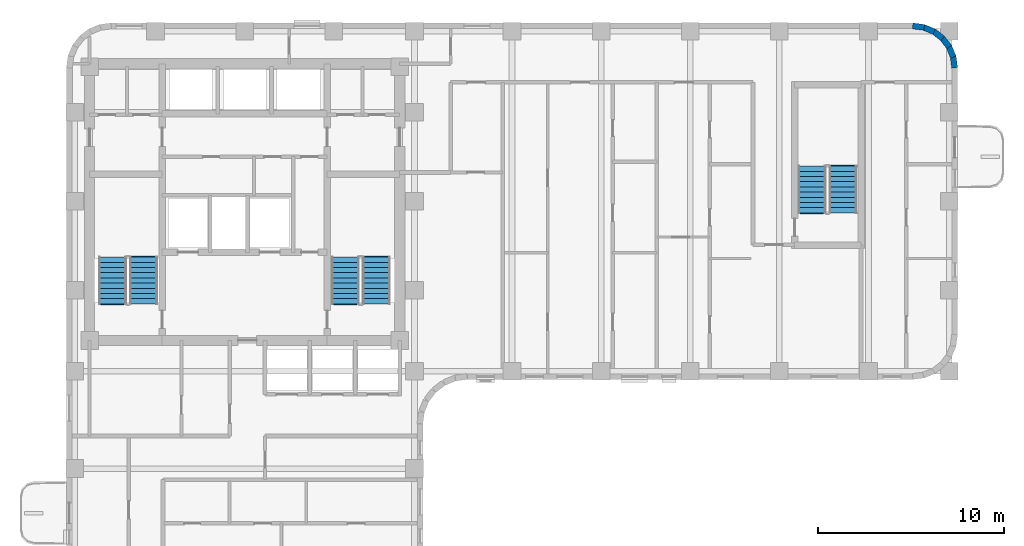
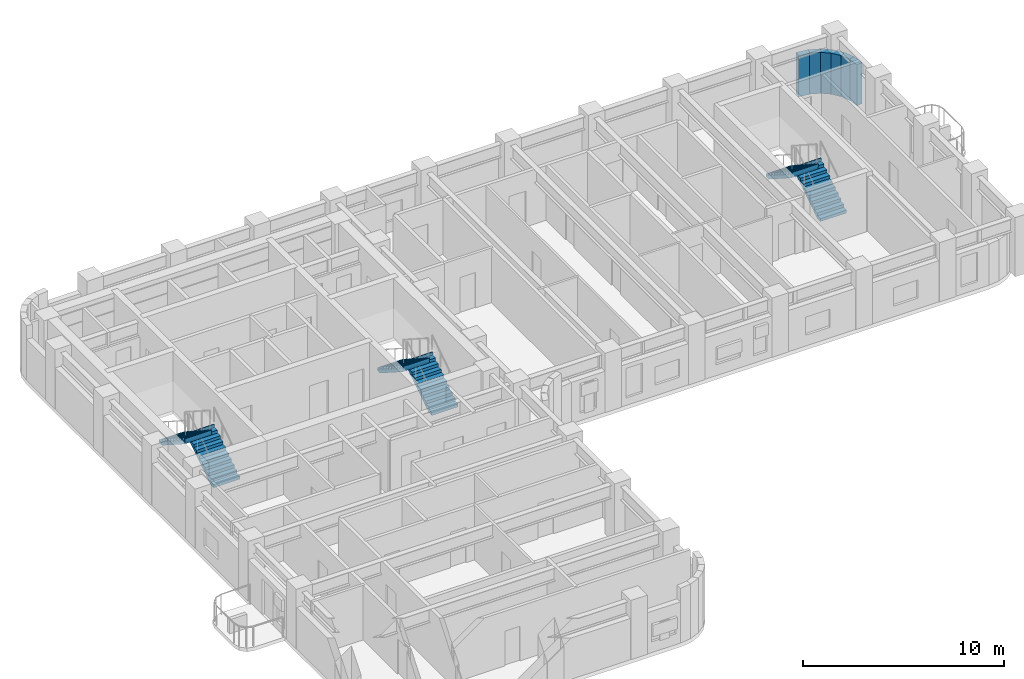
# One storey, part 7 of 10: 6 stair flights, 6 walls, 3 elements without a shape of their own.
"""IFC4 building model written with IfcOpenShell, lengths in metres."""

from ifc_helpers import new_model, si_unit, direction, frame, frame_2d, origin, place, context, subcontext, project, spatial, polyline, rectangle, outline, extrude, material, layer, layer_set, type_object, element, aggregate, save


model = new_model("IFC4")

# Units and contexts
model_context = context("Model", 3, precision=1e-05, world=origin(), true_north=direction((0.0, 1.0)))
body_context = subcontext(model_context, "Body", "Model", "MODEL_VIEW")
ifc_project = project(units=[si_unit("LENGTHUNIT", "METRE"), si_unit("AREAUNIT", "SQUARE_METRE"), si_unit("VOLUMEUNIT", "CUBIC_METRE"), si_unit("PLANEANGLEUNIT", "RADIAN"), si_unit("MASSUNIT", "GRAM", prefix="KILO")], contexts=[model_context])

# Site, building, storey
site_placement = place(None, origin())
site = spatial("IfcSite", under=ifc_project, at=site_placement, CompositionType="ELEMENT")
building_placement = place(site_placement, origin())
building = spatial("IfcBuilding", under=site, at=building_placement, Name="Orvandelia Arch Residences", CompositionType="ELEMENT")
storey_placement = place(building_placement, frame((0.0, 0.0, 150.39990234375)))
storey = spatial("IfcBuildingStorey", under=building, at=storey_placement, Name="L39", CompositionType="ELEMENT", Elevation=150.39990234375)

# Walls
ifc_material_1 = material(Name="Precast concrete C40/50", Category="concrete")
ifc_layer = layer(ifc_material_1, 0.320068359375, Name="Precast concrete C40/50", Category="concrete")
ifc_layer_set = layer_set([ifc_layer], Name="Precast concrete C40/50")
wall_type = type_object("IfcWallType", Name="WL-EXT-STONE-320", PredefinedType="STANDARD", material=ifc_layer_set)
for number, where, z_axis, x_axis, name in (
    (1, (50.379150390625, 47.84130859375, 0.0), (0.0, 0.0, 1.0), (0.9914410257, -0.130555323746, 0.0), "Coral-Limestone Precast Facade Wall L39-008"),
    (2, (50.9599609375, 47.7705078125, 0.0), (0.0, 0.0, 1.0), (0.92389335771, -0.382650053678, 0.0), "Coral-Limestone Precast Facade Wall L39-009"),
    (3, (51.502685546875, 47.551513671875, 0.0), (0.0, 0.0, 1.0), (0.793405610854, -0.608693302629, 0.0), "Coral-Limestone Precast Facade Wall L39-010"),
    (4, (51.97021484375, 47.19970703125, 0.0), (0.0, 0.0, 1.0), (0.608693302629, -0.793405610854, 0.0), "Coral-Limestone Precast Facade Wall L39-011"),
    (5, (52.330810546875, 46.73876953125, 0.0), (0.0, 0.0, 1.0), (0.382317370307, -0.924031075431, 0.0), "Coral-Limestone Precast Facade Wall L39-012"),
    (6, (52.5595703125, 46.2001953125, 0.0), (0.0, 0.0, 1.0), (0.130555323746, -0.9914410257, 0.0), "Coral-Limestone Precast Facade Wall L39-013"),
):
    element("IfcWall", number, at=place(storey_placement, frame(where, z_axis=z_axis, x_axis=x_axis)), inside=storey, type_object=wall_type, Name=name, PredefinedType="STANDARD", context=body_context, shape_type="SweptSolid", body=[
        extrude(rectangle(XDim=0.62646484375, YDim=0.320068359375, at=frame_2d((0.313232421875, 0.0))), origin(), (0.0, 0.0, 1.0), 2.5),
    ])

# Stair, stair flights
ifc_material_2 = material(Name="Concrete C40/50", Category="concrete")
stair_type = type_object("IfcStairType", Name="STAIR-RC-DOGLEG", PredefinedType="HALF_TURN_STAIR", material=ifc_material_2)
stair_1_placement = place(storey_placement, origin())
stair_1 = element("IfcStair", 7, at=stair_1_placement, inside=storey, type_object=stair_type, Name="L39 Protected Exit Stair ST-1", PredefinedType="HALF_TURN_STAIR")
stair_flight_type = type_object("IfcStairFlightType", Name="STFLT-RC-1520", PredefinedType="STRAIGHT", material=ifc_material_2)
stair_flight_1_placement = place(storey_placement, frame((8.9599609375, 32.8701171875, 0.0), z_axis=(0.0, 0.0, 1.0), x_axis=(0.0, 1.0, 0.0)))
stair_flight_1 = element("IfcStairFlight", 8, at=stair_flight_1_placement, type_object=stair_flight_type, Name="ST-1 flight 1", NumberOfRisers=10, NumberOfTreads=9, PredefinedType="STRAIGHT", RiserHeight=0.18, TreadLength=0.28, context=body_context, shape_type="SweptSolid", body=[
    extrude(outline(polyline([(0.0, 0.0), (0.0, 0.179931640625), (0.280029296875, 0.179931640625), (0.280029296875, 0.360107421875), (0.56005859375, 0.360107421875), (0.56005859375, 0.5400390625), (0.840087890625, 0.5400390625), (0.840087890625, 0.719970703125), (1.1201171875, 0.719970703125), (1.1201171875, 0.89990234375), (1.39990234375, 0.89990234375), (1.39990234375, 1.080078125), (1.679931640625, 1.080078125), (1.679931640625, 1.260009765625), (1.9599609375, 1.260009765625), (1.9599609375, 1.43994140625), (2.239990234375, 1.43994140625), (2.239990234375, 1.6201171875), (2.52001953125, 1.6201171875), (2.52001953125, 1.800048828125), (2.580078125, 1.800048828125), (2.580078125, 1.6201171875), (2.52001953125, 1.44189453125), (0.277099609375, 0.0), (0.0, 0.0)])), frame((0.0, 0.760009765625, 0.0), z_axis=(0.0, -1.0, 0.0), x_axis=(1.0, 0.0, 0.0)), (0.0, 0.0, 1.0), 1.52001953125),
])
stair_flight_2_placement = place(storey_placement, frame((7.2900390625, 35.389892578125, 1.800048828125), z_axis=(0.0, 0.0, 1.0), x_axis=(0.0, -1.0, 0.0)))
stair_flight_2 = element("IfcStairFlight", 9, at=stair_flight_2_placement, type_object=stair_flight_type, Name="ST-1 flight 2", NumberOfRisers=10, NumberOfTreads=9, PredefinedType="STRAIGHT", RiserHeight=0.18, TreadLength=0.28, context=body_context, shape_type="SweptSolid", body=[
    extrude(outline(polyline([(0.0, 0.0), (0.0, 0.179931640625), (0.280029296875, 0.179931640625), (0.280029296875, 0.360107421875), (0.56005859375, 0.360107421875), (0.56005859375, 0.5400390625), (0.840087890625, 0.5400390625), (0.840087890625, 0.719970703125), (1.1201171875, 0.719970703125), (1.1201171875, 0.89990234375), (1.39990234375, 0.89990234375), (1.39990234375, 1.080078125), (1.679931640625, 1.080078125), (1.679931640625, 1.260009765625), (1.9599609375, 1.260009765625), (1.9599609375, 1.43994140625), (2.239990234375, 1.43994140625), (2.239990234375, 1.6201171875), (2.52001953125, 1.6201171875), (2.52001953125, 1.800048828125), (2.580078125, 1.800048828125), (2.580078125, 1.6201171875), (2.52001953125, 1.44189453125), (0.277099609375, 0.0), (0.0, 0.0)])), frame((0.0, 0.760009765625, 0.0), z_axis=(0.0, -1.0, 0.0), x_axis=(1.0, 0.0, 0.0)), (0.0, 0.0, 1.0), 1.52001953125),
])
aggregate(stair_1, [stair_flight_1, stair_flight_2])

stair_2_placement = place(storey_placement, origin())
stair_2 = element("IfcStair", 10, at=stair_2_placement, inside=storey, type_object=stair_type, Name="L39 Protected Exit Stair ST-2", PredefinedType="HALF_TURN_STAIR")
stair_flight_3_placement = place(storey_placement, frame((21.489990234375, 32.8701171875, 0.0), z_axis=(0.0, 0.0, 1.0), x_axis=(0.0, 1.0, 0.0)))
stair_flight_3 = element("IfcStairFlight", 11, at=stair_flight_3_placement, type_object=stair_flight_type, Name="ST-2 flight 1", NumberOfRisers=10, NumberOfTreads=9, PredefinedType="STRAIGHT", RiserHeight=0.18, TreadLength=0.28, context=body_context, shape_type="SweptSolid", body=[
    extrude(outline(polyline([(0.0, 0.0), (0.0, 0.179931640625), (0.280029296875, 0.179931640625), (0.280029296875, 0.360107421875), (0.56005859375, 0.360107421875), (0.56005859375, 0.5400390625), (0.840087890625, 0.5400390625), (0.840087890625, 0.719970703125), (1.1201171875, 0.719970703125), (1.1201171875, 0.89990234375), (1.39990234375, 0.89990234375), (1.39990234375, 1.080078125), (1.679931640625, 1.080078125), (1.679931640625, 1.260009765625), (1.9599609375, 1.260009765625), (1.9599609375, 1.43994140625), (2.239990234375, 1.43994140625), (2.239990234375, 1.6201171875), (2.52001953125, 1.6201171875), (2.52001953125, 1.800048828125), (2.580078125, 1.800048828125), (2.580078125, 1.6201171875), (2.52001953125, 1.44189453125), (0.277099609375, 0.0), (0.0, 0.0)])), frame((0.0, 0.760009765625, 0.0), z_axis=(0.0, -1.0, 0.0), x_axis=(1.0, 0.0, 0.0)), (0.0, 0.0, 1.0), 1.52001953125),
])
stair_flight_4_placement = place(storey_placement, frame((19.820068359375, 35.389892578125, 1.800048828125), z_axis=(0.0, 0.0, 1.0), x_axis=(0.0, -1.0, 0.0)))
stair_flight_4 = element("IfcStairFlight", 12, at=stair_flight_4_placement, type_object=stair_flight_type, Name="ST-2 flight 2", NumberOfRisers=10, NumberOfTreads=9, PredefinedType="STRAIGHT", RiserHeight=0.18, TreadLength=0.28, context=body_context, shape_type="SweptSolid", body=[
    extrude(outline(polyline([(0.0, 0.0), (0.0, 0.179931640625), (0.280029296875, 0.179931640625), (0.280029296875, 0.360107421875), (0.56005859375, 0.360107421875), (0.56005859375, 0.5400390625), (0.840087890625, 0.5400390625), (0.840087890625, 0.719970703125), (1.1201171875, 0.719970703125), (1.1201171875, 0.89990234375), (1.39990234375, 0.89990234375), (1.39990234375, 1.080078125), (1.679931640625, 1.080078125), (1.679931640625, 1.260009765625), (1.9599609375, 1.260009765625), (1.9599609375, 1.43994140625), (2.239990234375, 1.43994140625), (2.239990234375, 1.6201171875), (2.52001953125, 1.6201171875), (2.52001953125, 1.800048828125), (2.580078125, 1.800048828125), (2.580078125, 1.6201171875), (2.52001953125, 1.44189453125), (0.277099609375, 0.0), (0.0, 0.0)])), frame((0.0, 0.760009765625, 0.0), z_axis=(0.0, -1.0, 0.0), x_axis=(1.0, 0.0, 0.0)), (0.0, 0.0, 1.0), 1.52001953125),
])
aggregate(stair_2, [stair_flight_3, stair_flight_4])

stair_3_placement = place(storey_placement, origin())
stair_3 = element("IfcStair", 13, at=stair_3_placement, inside=storey, type_object=stair_type, Name="L39 East Wing Exit Stair ST-3", PredefinedType="HALF_TURN_STAIR")
stair_flight_5_placement = place(storey_placement, frame((46.639892578125, 37.77001953125, 0.0), z_axis=(0.0, 0.0, 1.0), x_axis=(0.0, 1.0, 0.0)))
stair_flight_5 = element("IfcStairFlight", 14, at=stair_flight_5_placement, type_object=stair_flight_type, Name="ST-3 flight 1", NumberOfRisers=10, NumberOfTreads=9, PredefinedType="STRAIGHT", RiserHeight=0.18, TreadLength=0.28, context=body_context, shape_type="SweptSolid", body=[
    extrude(outline(polyline([(0.0, 0.0), (0.0, 0.179931640625), (0.280029296875, 0.179931640625), (0.280029296875, 0.360107421875), (0.56005859375, 0.360107421875), (0.56005859375, 0.5400390625), (0.840087890625, 0.5400390625), (0.840087890625, 0.719970703125), (1.1201171875, 0.719970703125), (1.1201171875, 0.89990234375), (1.39990234375, 0.89990234375), (1.39990234375, 1.080078125), (1.679931640625, 1.080078125), (1.679931640625, 1.260009765625), (1.9599609375, 1.260009765625), (1.9599609375, 1.43994140625), (2.239990234375, 1.43994140625), (2.239990234375, 1.6201171875), (2.52001953125, 1.6201171875), (2.52001953125, 1.800048828125), (2.580078125, 1.800048828125), (2.580078125, 1.6201171875), (2.52001953125, 1.44189453125), (0.277099609375, 0.0), (0.0, 0.0)])), frame((0.0, 0.760009765625, 0.0), z_axis=(0.0, -1.0, 0.0), x_axis=(1.0, 0.0, 0.0)), (0.0, 0.0, 1.0), 1.52001953125),
])
stair_flight_6_placement = place(storey_placement, frame((44.969970703125, 40.2900390625, 1.800048828125), z_axis=(0.0, 0.0, 1.0), x_axis=(0.0, -1.0, 0.0)))
stair_flight_6 = element("IfcStairFlight", 15, at=stair_flight_6_placement, type_object=stair_flight_type, Name="ST-3 flight 2", NumberOfRisers=10, NumberOfTreads=9, PredefinedType="STRAIGHT", RiserHeight=0.18, TreadLength=0.28, context=body_context, shape_type="SweptSolid", body=[
    extrude(outline(polyline([(0.0, 0.0), (0.0, 0.179931640625), (0.280029296875, 0.179931640625), (0.280029296875, 0.360107421875), (0.56005859375, 0.360107421875), (0.56005859375, 0.5400390625), (0.840087890625, 0.5400390625), (0.840087890625, 0.719970703125), (1.1201171875, 0.719970703125), (1.1201171875, 0.89990234375), (1.39990234375, 0.89990234375), (1.39990234375, 1.080078125), (1.679931640625, 1.080078125), (1.679931640625, 1.260009765625), (1.9599609375, 1.260009765625), (1.9599609375, 1.43994140625), (2.239990234375, 1.43994140625), (2.239990234375, 1.6201171875), (2.52001953125, 1.6201171875), (2.52001953125, 1.800048828125), (2.580078125, 1.800048828125), (2.580078125, 1.6201171875), (2.52001953125, 1.44189453125), (0.277099609375, 0.0), (0.0, 0.0)])), frame((0.0, 0.760009765625, 0.0), z_axis=(0.0, -1.0, 0.0), x_axis=(1.0, 0.0, 0.0)), (0.0, 0.0, 1.0), 1.52001953125),
])
aggregate(stair_3, [stair_flight_5, stair_flight_6])

save(model, "model.ifc")
